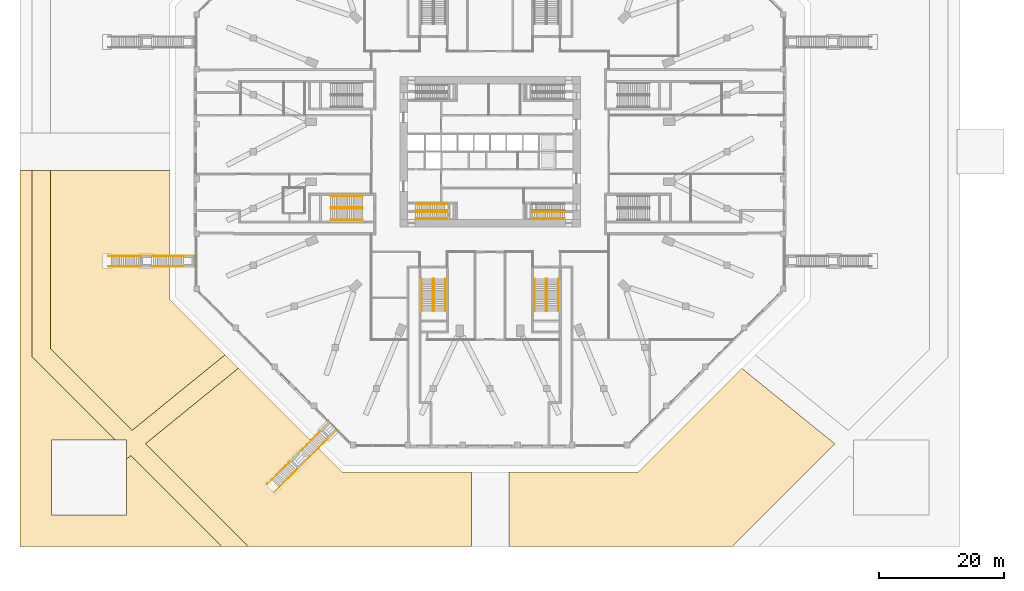
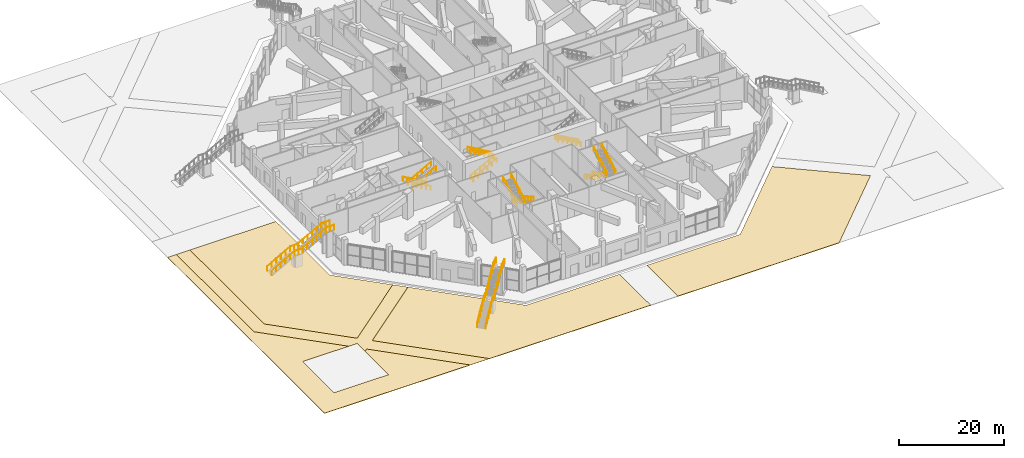
# One storey, part 32 of 36: 22 railings, 5 coverings.
"""IFC4 building model written with IfcOpenShell, lengths in metres."""

from ifc_helpers import new_model, si_unit, direction, frame, origin, origin_2d, place, context, subcontext, project, spatial, polyline, circle, outline, extrude, material, layer, layer_set, constituent, constituent_set, type_object, element, save


model = new_model("IFC4")

# Units and contexts
model_context = context("Model", 3, precision=1e-05, world=origin(), true_north=direction((0.0, 1.0)))
body_context = subcontext(model_context, "Body", "Model", "MODEL_VIEW")
ifc_project = project(units=[si_unit("LENGTHUNIT", "METRE"), si_unit("AREAUNIT", "SQUARE_METRE"), si_unit("VOLUMEUNIT", "CUBIC_METRE"), si_unit("PLANEANGLEUNIT", "RADIAN"), si_unit("MASSUNIT", "GRAM", prefix="KILO")], contexts=[model_context])

# Site, building, storey
site_placement = place(None, origin())
site = spatial("IfcSite", under=ifc_project, at=site_placement, CompositionType="ELEMENT")
building_placement = place(site_placement, origin())
building = spatial("IfcBuilding", under=site, at=building_placement, Name="Msitu Wima Residences", CompositionType="ELEMENT")
storey_placement = place(building_placement, origin())
storey = spatial("IfcBuildingStorey", under=building, at=storey_placement, Name="L00", CompositionType="ELEMENT", Elevation=0.0)

# Coverings
ifc_material_1 = material(Name="Lawn and planting")
ifc_layer_1 = layer(ifc_material_1, 0.10009765625)
ifc_layer_set_1 = layer_set([ifc_layer_1], Name="Lawn and planting")
covering_type_1 = type_object("IfcCoveringType", Name="Garden lawn LN100", PredefinedType="USERDEFINED", material=ifc_layer_set_1)
covering_1_placement = place(storey_placement, frame((0.0, 0.0, -0.10009765625)))
element("IfcCovering", 1, at=covering_1_placement, inside=storey, type_object=covering_type_1, Name="Public garden lawn and planting", ObjectType="LAWN", PredefinedType="USERDEFINED", context=body_context, shape_type="SweptSolid", body=[
    extrude(outline(polyline([(-75.0, -3.0), (-73.10009765625, -3.0), (-73.10009765625, -32.749755859375), (-59.849609375, -46.0), (-70.0, -46.0), (-70.0, -58.0), (-58.0, -58.0), (-58.0, -49.0576171875), (-57.33349609375, -48.51611328125), (-42.849609375, -63.0), (-75.0, -63.0), (-75.0, -3.0)])), origin(), (0.0, 0.0, 1.0), 0.10009765625),
])
covering_2_placement = place(storey_placement, frame((0.0, 0.0, -0.10009765625)))
element("IfcCovering", 2, at=covering_2_placement, inside=storey, type_object=covering_type_1, Name="Public garden lawn and planting", ObjectType="LAWN", PredefinedType="USERDEFINED", context=body_context, shape_type="SweptSolid", body=[
    extrude(outline(polyline([(-51.10009765625, -3.0), (-51.10009765625, -23.636962890625), (-42.300537109375, -32.4365234375), (-57.125244140625, -44.481689453125), (-70.10009765625, -31.507080078125), (-70.10009765625, -3.0), (-51.10009765625, -3.0)])), origin(), (0.0, 0.0, 1.0), 0.10009765625),
])
covering_3_placement = place(storey_placement, frame((0.0, 0.0, -0.10009765625)))
element("IfcCovering", 3, at=covering_3_placement, inside=storey, type_object=covering_type_1, Name="Public garden lawn and planting", ObjectType="LAWN", PredefinedType="USERDEFINED", context=body_context, shape_type="SweptSolid", body=[
    extrude(outline(polyline([(-23.636962890625, -51.10009765625), (-3.0, -51.10009765625), (-3.0, -63.0), (-38.60693359375, -63.0), (-54.99267578125, -46.6142578125), (-40.16796875, -34.569091796875), (-23.636962890625, -51.10009765625)])), origin(), (0.0, 0.0, 1.0), 0.10009765625),
])
covering_4_placement = place(storey_placement, frame((0.0, 0.0, -0.10009765625)))
element("IfcCovering", 4, at=covering_4_placement, inside=storey, type_object=covering_type_1, Name="Public garden lawn and planting", ObjectType="LAWN", PredefinedType="USERDEFINED", context=body_context, shape_type="SweptSolid", body=[
    extrude(outline(polyline([(3.0, -63.0), (3.0, -51.10009765625), (23.636962890625, -51.10009765625), (40.16796875, -34.569091796875), (54.99267578125, -46.6142578125), (38.60693359375, -63.0), (3.0, -63.0)])), origin(), (0.0, 0.0, 1.0), 0.10009765625),
])
ifc_material_2 = material(Name="Clay pavers")
ifc_layer_2 = layer(ifc_material_2, 0.050048828125, Name="Clay pavers")
ifc_material_3 = material(Name="Sand bedding")
ifc_layer_3 = layer(ifc_material_3, 0.010009765625, Name="Sand bedding")
ifc_layer_set_2 = layer_set([ifc_layer_2, ifc_layer_3], Name="Sand bedding")
covering_type_2 = type_object("IfcCoveringType", Name="Garden paving PV60", PredefinedType="USERDEFINED", material=ifc_layer_set_2)
covering_5_placement = place(storey_placement, frame((0.0, 0.0, -0.06005859375)))
element("IfcCovering", 5, at=covering_5_placement, inside=storey, type_object=covering_type_2, Name="Garden footpath paving", ObjectType="PAVING", PredefinedType="USERDEFINED", context=body_context, shape_type="SweptSolid", body=[
    extrude(outline(polyline([(-73.10009765625, -32.749755859375), (-73.10009765625, -3.0), (-70.10009765625, -3.0), (-70.10009765625, -31.507080078125), (-57.125244140625, -44.481689453125), (-42.300537109375, -32.4365234375), (-40.16796875, -34.569091796875), (-54.99267578125, -46.6142578125), (-38.60693359375, -63.0), (-42.849609375, -63.0), (-57.33349609375, -48.51611328125), (-58.0, -49.0576171875), (-58.0, -46.0), (-59.849609375, -46.0), (-73.10009765625, -32.749755859375)])), origin(), (0.0, 0.0, 1.0), 0.06005859375),
])

# Railings
ifc_material_4 = material(Name="Steel S355", Category="steel")
ifc_constituent_1 = constituent(ifc_material_4, Name="Steel S355")
ifc_material_5 = material(Name="Black powder coating")
ifc_constituent_2 = constituent(ifc_material_5, Name="Black powder coating")
ifc_constituent_set_1 = constituent_set(constituents=[ifc_constituent_1, ifc_constituent_2], Name="Steel S355")
railing_type_1 = type_object("IfcRailingType", Name="Stair handrail HR1", PredefinedType="HANDRAIL", material=ifc_constituent_set_1)
for number, where, name in (
    (6, (-11.875, -10.625, 0.166748046875), "Stair 2 handrail"),
    (7, (-11.875, -9.625, 0.166748046875), "Stair 2 handrail"),
):
    element("IfcRailing", number, at=place(storey_placement, frame(where)), inside=storey, type_object=railing_type_1, Name=name, PredefinedType="HANDRAIL", context=body_context, shape_type="SweptSolid", body=[
        extrude(circle(Radius=0.02392578125, at=origin_2d()), frame((0.0, 0.0, 0.8759765625), z_axis=(0.874167145328, 0.0, 0.485625166182), x_axis=(0.0, 1.0, 0.0)), (0.0, 0.0, 1.0), 5.834228515625),
        extrude(circle(Radius=0.02099609375, at=origin_2d()), origin(), (0.0, 0.0, 1.0), 0.851806640625),
        extrude(circle(Radius=0.02099609375, at=origin_2d()), frame((1.02001953125, 0.0, 0.566650390625)), (0.0, 0.0, 1.0), 0.851806640625),
        extrude(circle(Radius=0.02099609375, at=origin_2d()), frame((2.0400390625, 0.0, 1.13330078125)), (0.0, 0.0, 1.0), 0.851806640625),
        extrude(circle(Radius=0.02099609375, at=origin_2d()), frame((3.06005859375, 0.0, 1.699951171875)), (0.0, 0.0, 1.0), 0.851806640625),
        extrude(circle(Radius=0.02099609375, at=origin_2d()), frame((4.080078125, 0.0, 2.2666015625)), (0.0, 0.0, 1.0), 0.851806640625),
        extrude(circle(Radius=0.02099609375, at=origin_2d()), frame((5.10009765625, 0.0, 2.833251953125)), (0.0, 0.0, 1.0), 0.851806640625),
    ])
for number, where, name in (
    (8, (-6.77490234375, -9.375, 3.166748046875), "Stair 2 handrail"),
    (9, (-6.77490234375, -8.375, 3.166748046875), "Stair 2 handrail"),
    (10, (11.875, -10.625, 0.166748046875), "Stair 4 handrail"),
    (11, (11.875, -9.625, 0.166748046875), "Stair 4 handrail"),
    (12, (-20.324951171875, -7.10009765625, 0.166748046875), "Podium exit stair 5 handrail"),
    (13, (-20.324951171875, -8.89990234375, 0.166748046875), "Podium exit stair 5 handrail"),
):
    element("IfcRailing", number, at=place(storey_placement, frame(where)), inside=storey, type_object=railing_type_1, Name=name, PredefinedType="HANDRAIL", context=body_context, shape_type="SweptSolid", body=[
        extrude(circle(Radius=0.02392578125, at=origin_2d()), frame((0.0, 0.0, 0.8759765625), z_axis=(-0.874167145328, 0.0, 0.485625166182), x_axis=(0.0, -1.0, 0.0)), (0.0, 0.0, 1.0), 5.834228515625),
        extrude(circle(Radius=0.02099609375, at=origin_2d()), origin(), (0.0, 0.0, 1.0), 0.851806640625),
        extrude(circle(Radius=0.02099609375, at=origin_2d()), frame((-1.02001953125, 0.0, 0.566650390625)), (0.0, 0.0, 1.0), 0.851806640625),
        extrude(circle(Radius=0.02099609375, at=origin_2d()), frame((-2.0400390625, 0.0, 1.13330078125)), (0.0, 0.0, 1.0), 0.851806640625),
        extrude(circle(Radius=0.02099609375, at=origin_2d()), frame((-3.06005859375, 0.0, 1.699951171875)), (0.0, 0.0, 1.0), 0.851806640625),
        extrude(circle(Radius=0.02099609375, at=origin_2d()), frame((-4.080078125, 0.0, 2.2666015625)), (0.0, 0.0, 1.0), 0.851806640625),
        extrude(circle(Radius=0.02099609375, at=origin_2d()), frame((-5.10009765625, 0.0, 2.833251953125)), (0.0, 0.0, 1.0), 0.851806640625),
    ])
for number, where, name in (
    (14, (-25.425048828125, -9.10009765625, 3.166748046875), "Podium exit stair 5 handrail"),
    (15, (-25.425048828125, -10.89990234375, 3.166748046875), "Podium exit stair 5 handrail"),
):
    element("IfcRailing", number, at=place(storey_placement, frame(where)), inside=storey, type_object=railing_type_1, Name=name, PredefinedType="HANDRAIL", context=body_context, shape_type="SweptSolid", body=[
        extrude(circle(Radius=0.02392578125, at=origin_2d()), frame((0.0, 0.0, 0.8759765625), z_axis=(0.874167145328, 0.0, 0.485625166182), x_axis=(0.0, 1.0, 0.0)), (0.0, 0.0, 1.0), 5.834228515625),
        extrude(circle(Radius=0.02099609375, at=origin_2d()), origin(), (0.0, 0.0, 1.0), 0.851806640625),
        extrude(circle(Radius=0.02099609375, at=origin_2d()), frame((1.02001953125, 0.0, 0.566650390625)), (0.0, 0.0, 1.0), 0.851806640625),
        extrude(circle(Radius=0.02099609375, at=origin_2d()), frame((2.0400390625, 0.0, 1.13330078125)), (0.0, 0.0, 1.0), 0.851806640625),
        extrude(circle(Radius=0.02099609375, at=origin_2d()), frame((3.06005859375, 0.0, 1.699951171875)), (0.0, 0.0, 1.0), 0.851806640625),
        extrude(circle(Radius=0.02099609375, at=origin_2d()), frame((4.080078125, 0.0, 2.2666015625)), (0.0, 0.0, 1.0), 0.851806640625),
        extrude(circle(Radius=0.02099609375, at=origin_2d()), frame((5.10009765625, 0.0, 2.833251953125)), (0.0, 0.0, 1.0), 0.851806640625),
    ])
for number, where, name in (
    (16, (7.10009765625, -20.324951171875, 0.166748046875), "Podium exit stair 7 handrail"),
    (17, (8.89990234375, -20.324951171875, 0.166748046875), "Podium exit stair 7 handrail"),
):
    element("IfcRailing", number, at=place(storey_placement, frame(where)), inside=storey, type_object=railing_type_1, Name=name, PredefinedType="HANDRAIL", context=body_context, shape_type="SweptSolid", body=[
        extrude(circle(Radius=0.02392578125, at=origin_2d()), frame((0.0, 0.0, 0.8759765625), z_axis=(0.0, -0.874167145328, 0.485625166182), x_axis=(1.0, 0.0, 0.0)), (0.0, 0.0, 1.0), 5.834228515625),
        extrude(circle(Radius=0.02099609375, at=origin_2d()), origin(), (0.0, 0.0, 1.0), 0.851806640625),
        extrude(circle(Radius=0.02099609375, at=origin_2d()), frame((0.0, -1.02001953125, 0.566650390625)), (0.0, 0.0, 1.0), 0.851806640625),
        extrude(circle(Radius=0.02099609375, at=origin_2d()), frame((0.0, -2.0400390625, 1.13330078125)), (0.0, 0.0, 1.0), 0.851806640625),
        extrude(circle(Radius=0.02099609375, at=origin_2d()), frame((0.0, -3.06005859375, 1.699951171875)), (0.0, 0.0, 1.0), 0.851806640625),
        extrude(circle(Radius=0.02099609375, at=origin_2d()), frame((0.0, -4.080078125, 2.2666015625)), (0.0, 0.0, 1.0), 0.851806640625),
        extrude(circle(Radius=0.02099609375, at=origin_2d()), frame((0.0, -5.10009765625, 2.833251953125)), (0.0, 0.0, 1.0), 0.851806640625),
    ])
for number, where, name in (
    (18, (9.10009765625, -25.425048828125, 3.166748046875), "Podium exit stair 7 handrail"),
    (19, (10.89990234375, -25.425048828125, 3.166748046875), "Podium exit stair 7 handrail"),
):
    element("IfcRailing", number, at=place(storey_placement, frame(where)), inside=storey, type_object=railing_type_1, Name=name, PredefinedType="HANDRAIL", context=body_context, shape_type="SweptSolid", body=[
        extrude(circle(Radius=0.02392578125, at=origin_2d()), frame((0.0, 0.0, 0.8759765625), z_axis=(0.0, 0.874167145328, 0.485625166182), x_axis=(-1.0, 0.0, 0.0)), (0.0, 0.0, 1.0), 5.834228515625),
        extrude(circle(Radius=0.02099609375, at=origin_2d()), origin(), (0.0, 0.0, 1.0), 0.851806640625),
        extrude(circle(Radius=0.02099609375, at=origin_2d()), frame((0.0, 1.02001953125, 0.566650390625)), (0.0, 0.0, 1.0), 0.851806640625),
        extrude(circle(Radius=0.02099609375, at=origin_2d()), frame((0.0, 2.0400390625, 1.13330078125)), (0.0, 0.0, 1.0), 0.851806640625),
        extrude(circle(Radius=0.02099609375, at=origin_2d()), frame((0.0, 3.06005859375, 1.699951171875)), (0.0, 0.0, 1.0), 0.851806640625),
        extrude(circle(Radius=0.02099609375, at=origin_2d()), frame((0.0, 4.080078125, 2.2666015625)), (0.0, 0.0, 1.0), 0.851806640625),
        extrude(circle(Radius=0.02099609375, at=origin_2d()), frame((0.0, 5.10009765625, 2.833251953125)), (0.0, 0.0, 1.0), 0.851806640625),
    ])
for number, where, name in (
    (20, (-7.10009765625, -20.324951171875, 0.166748046875), "Podium exit stair 8 handrail"),
    (21, (-8.89990234375, -20.324951171875, 0.166748046875), "Podium exit stair 8 handrail"),
):
    element("IfcRailing", number, at=place(storey_placement, frame(where)), inside=storey, type_object=railing_type_1, Name=name, PredefinedType="HANDRAIL", context=body_context, shape_type="SweptSolid", body=[
        extrude(circle(Radius=0.02392578125, at=origin_2d()), frame((0.0, 0.0, 0.8759765625), z_axis=(0.0, -0.874167145328, 0.485625166182), x_axis=(1.0, 0.0, 0.0)), (0.0, 0.0, 1.0), 5.834228515625),
        extrude(circle(Radius=0.02099609375, at=origin_2d()), origin(), (0.0, 0.0, 1.0), 0.851806640625),
        extrude(circle(Radius=0.02099609375, at=origin_2d()), frame((0.0, -1.02001953125, 0.566650390625)), (0.0, 0.0, 1.0), 0.851806640625),
        extrude(circle(Radius=0.02099609375, at=origin_2d()), frame((0.0, -2.0400390625, 1.13330078125)), (0.0, 0.0, 1.0), 0.851806640625),
        extrude(circle(Radius=0.02099609375, at=origin_2d()), frame((0.0, -3.06005859375, 1.699951171875)), (0.0, 0.0, 1.0), 0.851806640625),
        extrude(circle(Radius=0.02099609375, at=origin_2d()), frame((0.0, -4.080078125, 2.2666015625)), (0.0, 0.0, 1.0), 0.851806640625),
        extrude(circle(Radius=0.02099609375, at=origin_2d()), frame((0.0, -5.10009765625, 2.833251953125)), (0.0, 0.0, 1.0), 0.851806640625),
    ])
for number, where, name in (
    (22, (-9.10009765625, -25.425048828125, 3.166748046875), "Podium exit stair 8 handrail"),
    (23, (-10.89990234375, -25.425048828125, 3.166748046875), "Podium exit stair 8 handrail"),
):
    element("IfcRailing", number, at=place(storey_placement, frame(where)), inside=storey, type_object=railing_type_1, Name=name, PredefinedType="HANDRAIL", context=body_context, shape_type="SweptSolid", body=[
        extrude(circle(Radius=0.02392578125, at=origin_2d()), frame((0.0, 0.0, 0.8759765625), z_axis=(0.0, 0.874167145328, 0.485625166182), x_axis=(-1.0, 0.0, 0.0)), (0.0, 0.0, 1.0), 5.834228515625),
        extrude(circle(Radius=0.02099609375, at=origin_2d()), origin(), (0.0, 0.0, 1.0), 0.851806640625),
        extrude(circle(Radius=0.02099609375, at=origin_2d()), frame((0.0, 1.02001953125, 0.566650390625)), (0.0, 0.0, 1.0), 0.851806640625),
        extrude(circle(Radius=0.02099609375, at=origin_2d()), frame((0.0, 2.0400390625, 1.13330078125)), (0.0, 0.0, 1.0), 0.851806640625),
        extrude(circle(Radius=0.02099609375, at=origin_2d()), frame((0.0, 3.06005859375, 1.699951171875)), (0.0, 0.0, 1.0), 0.851806640625),
        extrude(circle(Radius=0.02099609375, at=origin_2d()), frame((0.0, 4.080078125, 2.2666015625)), (0.0, 0.0, 1.0), 0.851806640625),
        extrude(circle(Radius=0.02099609375, at=origin_2d()), frame((0.0, 5.10009765625, 2.833251953125)), (0.0, 0.0, 1.0), 0.851806640625),
    ])
ifc_constituent_3 = constituent(ifc_material_4, Name="Steel S355")
ifc_material_6 = material(Name="Weathering patina")
ifc_constituent_4 = constituent(ifc_material_6, Name="Weathering patina")
ifc_constituent_set_2 = constituent_set(constituents=[ifc_constituent_3, ifc_constituent_4], Name="Steel S355")
railing_type_2 = type_object("IfcRailingType", Name="Terrace guard GR1100", PredefinedType="GUARDRAIL", material=ifc_constituent_set_2)
railing_1_placement = place(storey_placement, frame((-25.787109375, -43.29296875, 6.0)))
element("IfcRailing", 24, at=railing_1_placement, inside=storey, type_object=railing_type_2, Name="External stair guard SW4", PredefinedType="GUARDRAIL", context=body_context, shape_type="SweptSolid", body=[
    extrude(circle(Radius=0.02392578125, at=origin_2d()), frame((0.0, 0.0, 1.076171875), z_axis=(-0.707038962956, -0.707174592913, 0.0), x_axis=(0.707174592913, -0.707038962956, 0.0)), (0.0, 0.0, 1.0), 1.800048828125),
    extrude(circle(Radius=0.02392578125, at=origin_2d()), frame((-1.272705078125, -1.27294921875, 1.076171875), z_axis=(-0.6181249701, -0.6181249701, -0.485636739423), x_axis=(0.707106781187, -0.707106781187, 0.0)), (0.0, 0.0, 1.0), 5.833984375),
    extrude(circle(Radius=0.02392578125, at=origin_2d()), frame((-4.87890625, -4.879150390625, -1.75732421875), z_axis=(0.0, 0.0, -1.0), x_axis=(1.0, 0.0, 0.0)), (0.0, 0.0, 1.0), 0.166748046875),
    extrude(circle(Radius=0.02392578125, at=origin_2d()), frame((-4.87890625, -4.879150390625, -1.923828125), z_axis=(-0.707174592913, -0.707038962956, 0.0), x_axis=(0.707038962956, -0.707174592913, 0.0)), (0.0, 0.0, 1.0), 1.800048828125),
    extrude(circle(Radius=0.02392578125, at=origin_2d()), frame((-6.15185546875, -6.15185546875, -1.923828125), z_axis=(-0.618108981265, -0.618150827382, -0.485624177617), x_axis=(0.707130715615, -0.707082845948, 0.0)), (0.0, 0.0, 1.0), 5.834228515625),
    extrude(circle(Radius=0.02392578125, at=origin_2d()), frame((-9.758056640625, -9.75830078125, -4.75732421875), z_axis=(0.0, 0.0, -1.0), x_axis=(1.0, 0.0, 0.0)), (0.0, 0.0, 1.0), 0.166748046875),
    extrude(circle(Radius=0.02099609375, at=origin_2d()), origin(), (0.0, 0.0, 1.0), 1.052001953125),
    extrude(circle(Radius=0.02099609375, at=origin_2d()), frame((-0.63623046875, -0.636474609375, 0.0)), (0.0, 0.0, 1.0), 1.052001953125),
    extrude(circle(Radius=0.02099609375, at=origin_2d()), frame((-1.272705078125, -1.27294921875, 0.0)), (0.0, 0.0, 1.0), 1.052001953125),
    extrude(circle(Radius=0.02099609375, at=origin_2d()), frame((-1.993896484375, -1.994140625, -0.566650390625)), (0.0, 0.0, 1.0), 1.052001953125),
    extrude(circle(Radius=0.02099609375, at=origin_2d()), frame((-2.715087890625, -2.71533203125, -1.13330078125)), (0.0, 0.0, 1.0), 1.052001953125),
    extrude(circle(Radius=0.02099609375, at=origin_2d()), frame((-3.4365234375, -3.436767578125, -1.699951171875)), (0.0, 0.0, 1.0), 1.052001953125),
    extrude(circle(Radius=0.02099609375, at=origin_2d()), frame((-4.15771484375, -4.157958984375, -2.2666015625)), (0.0, 0.0, 1.0), 1.052001953125),
    extrude(circle(Radius=0.02099609375, at=origin_2d()), frame((-4.87890625, -4.879150390625, -2.833251953125)), (0.0, 0.0, 1.0), 1.052001953125),
    extrude(circle(Radius=0.02099609375, at=origin_2d()), frame((-4.87890625, -4.879150390625, -3.0)), (0.0, 0.0, 1.0), 1.052001953125),
    extrude(circle(Radius=0.02099609375, at=origin_2d()), frame((-5.515380859375, -5.515625, -3.0)), (0.0, 0.0, 1.0), 1.052001953125),
    extrude(circle(Radius=0.02099609375, at=origin_2d()), frame((-6.15185546875, -6.15185546875, -3.0)), (0.0, 0.0, 1.0), 1.052001953125),
    extrude(circle(Radius=0.02099609375, at=origin_2d()), frame((-6.873046875, -6.873046875, -3.566650390625)), (0.0, 0.0, 1.0), 1.052001953125),
    extrude(circle(Radius=0.02099609375, at=origin_2d()), frame((-7.59423828125, -7.594482421875, -4.13330078125)), (0.0, 0.0, 1.0), 1.052001953125),
    extrude(circle(Radius=0.02099609375, at=origin_2d()), frame((-8.315673828125, -8.315673828125, -4.699951171875)), (0.0, 0.0, 1.0), 1.052001953125),
    extrude(circle(Radius=0.02099609375, at=origin_2d()), frame((-9.036865234375, -9.037109375, -5.2666015625)), (0.0, 0.0, 1.0), 1.052001953125),
    extrude(circle(Radius=0.02099609375, at=origin_2d()), frame((-9.758056640625, -9.75830078125, -5.833251953125)), (0.0, 0.0, 1.0), 1.052001953125),
    extrude(circle(Radius=0.02099609375, at=origin_2d()), frame((-9.758056640625, -9.75830078125, -6.0)), (0.0, 0.0, 1.0), 1.052001953125),
])
railing_2_placement = place(storey_placement, frame((-24.5849609375, -44.4951171875, 6.0)))
element("IfcRailing", 25, at=railing_2_placement, inside=storey, type_object=railing_type_2, Name="External stair guard SW4", PredefinedType="GUARDRAIL", context=body_context, shape_type="SweptSolid", body=[
    extrude(circle(Radius=0.02392578125, at=origin_2d()), frame((0.0, 0.0, 1.076171875), z_axis=(-0.707038962956, -0.707174592913, 0.0), x_axis=(0.707174592913, -0.707038962956, 0.0)), (0.0, 0.0, 1.0), 1.800048828125),
    extrude(circle(Radius=0.02392578125, at=origin_2d()), frame((-1.272705078125, -1.27294921875, 1.076171875), z_axis=(-0.618150827382, -0.618108981265, -0.485624177617), x_axis=(0.707082845948, -0.707130715615, 0.0)), (0.0, 0.0, 1.0), 5.834228515625),
    extrude(circle(Radius=0.02392578125, at=origin_2d()), frame((-4.879150390625, -4.879150390625, -1.75732421875), z_axis=(0.0, 0.0, -1.0), x_axis=(1.0, 0.0, 0.0)), (0.0, 0.0, 1.0), 0.166748046875),
    extrude(circle(Radius=0.02392578125, at=origin_2d()), frame((-4.879150390625, -4.879150390625, -1.923828125), z_axis=(-0.707106781187, -0.707106781187, 0.0), x_axis=(0.707106781187, -0.707106781187, 0.0)), (0.0, 0.0, 1.0), 1.7998046875),
    extrude(circle(Radius=0.02392578125, at=origin_2d()), frame((-6.15185546875, -6.15185546875, -1.923828125), z_axis=(-0.6181249701, -0.6181249701, -0.485636739423), x_axis=(0.707106781187, -0.707106781187, 0.0)), (0.0, 0.0, 1.0), 5.833984375),
    extrude(circle(Radius=0.02392578125, at=origin_2d()), frame((-9.758056640625, -9.758056640625, -4.75732421875), z_axis=(0.0, 0.0, -1.0), x_axis=(1.0, 0.0, 0.0)), (0.0, 0.0, 1.0), 0.166748046875),
    extrude(circle(Radius=0.02099609375, at=origin_2d()), origin(), (0.0, 0.0, 1.0), 1.052001953125),
    extrude(circle(Radius=0.02099609375, at=origin_2d()), frame((-0.63623046875, -0.636474609375, 0.0)), (0.0, 0.0, 1.0), 1.052001953125),
    extrude(circle(Radius=0.02099609375, at=origin_2d()), frame((-1.272705078125, -1.27294921875, 0.0)), (0.0, 0.0, 1.0), 1.052001953125),
    extrude(circle(Radius=0.02099609375, at=origin_2d()), frame((-1.993896484375, -1.994140625, -0.566650390625)), (0.0, 0.0, 1.0), 1.052001953125),
    extrude(circle(Radius=0.02099609375, at=origin_2d()), frame((-2.71533203125, -2.71533203125, -1.13330078125)), (0.0, 0.0, 1.0), 1.052001953125),
    extrude(circle(Radius=0.02099609375, at=origin_2d()), frame((-3.4365234375, -3.436767578125, -1.699951171875)), (0.0, 0.0, 1.0), 1.052001953125),
    extrude(circle(Radius=0.02099609375, at=origin_2d()), frame((-4.157958984375, -4.157958984375, -2.2666015625)), (0.0, 0.0, 1.0), 1.052001953125),
    extrude(circle(Radius=0.02099609375, at=origin_2d()), frame((-4.879150390625, -4.879150390625, -2.833251953125)), (0.0, 0.0, 1.0), 1.052001953125),
    extrude(circle(Radius=0.02099609375, at=origin_2d()), frame((-4.879150390625, -4.879150390625, -3.0)), (0.0, 0.0, 1.0), 1.052001953125),
    extrude(circle(Radius=0.02099609375, at=origin_2d()), frame((-5.515625, -5.515625, -3.0)), (0.0, 0.0, 1.0), 1.052001953125),
    extrude(circle(Radius=0.02099609375, at=origin_2d()), frame((-6.15185546875, -6.15185546875, -3.0)), (0.0, 0.0, 1.0), 1.052001953125),
    extrude(circle(Radius=0.02099609375, at=origin_2d()), frame((-6.873046875, -6.873046875, -3.566650390625)), (0.0, 0.0, 1.0), 1.052001953125),
    extrude(circle(Radius=0.02099609375, at=origin_2d()), frame((-7.59423828125, -7.59423828125, -4.13330078125)), (0.0, 0.0, 1.0), 1.052001953125),
    extrude(circle(Radius=0.02099609375, at=origin_2d()), frame((-8.315673828125, -8.315673828125, -4.699951171875)), (0.0, 0.0, 1.0), 1.052001953125),
    extrude(circle(Radius=0.02099609375, at=origin_2d()), frame((-9.036865234375, -9.036865234375, -5.2666015625)), (0.0, 0.0, 1.0), 1.052001953125),
    extrude(circle(Radius=0.02099609375, at=origin_2d()), frame((-9.758056640625, -9.758056640625, -5.833251953125)), (0.0, 0.0, 1.0), 1.052001953125),
    extrude(circle(Radius=0.02099609375, at=origin_2d()), frame((-9.758056640625, -9.758056640625, -6.0)), (0.0, 0.0, 1.0), 1.052001953125),
])
railing_3_placement = place(storey_placement, frame((-47.10009765625, -16.634765625, 6.0)))
element("IfcRailing", 26, at=railing_3_placement, inside=storey, type_object=railing_type_2, Name="Garden stair 3 guard", PredefinedType="GUARDRAIL", context=body_context, shape_type="SweptSolid", body=[
    extrude(circle(Radius=0.02392578125, at=origin_2d()), frame((0.0, 0.0, 1.076171875), z_axis=(-1.0, 0.0, 0.0), x_axis=(0.0, -1.0, 0.0)), (0.0, 0.0, 1.0), 1.7998046875),
    extrude(circle(Radius=0.02392578125, at=origin_2d()), frame((-1.7998046875, 0.0, 1.076171875), z_axis=(-0.874167145328, 0.0, -0.485625166182), x_axis=(0.0, -1.0, 0.0)), (0.0, 0.0, 1.0), 5.834228515625),
    extrude(circle(Radius=0.02392578125, at=origin_2d()), frame((-6.89990234375, 0.0, -1.75732421875), z_axis=(0.0, 0.0, -1.0), x_axis=(1.0, 0.0, 0.0)), (0.0, 0.0, 1.0), 0.166748046875),
    extrude(circle(Radius=0.02392578125, at=origin_2d()), frame((-6.89990234375, 0.0, -1.923828125), z_axis=(-1.0, 0.0, 0.0), x_axis=(0.0, -1.0, 0.0)), (0.0, 0.0, 1.0), 1.800048828125),
    extrude(circle(Radius=0.02392578125, at=origin_2d()), frame((-8.699951171875, 0.0, -1.923828125), z_axis=(-0.874157276122, 0.0, -0.485642931179), x_axis=(0.0, -1.0, 0.0)), (0.0, 0.0, 1.0), 5.833984375),
    extrude(circle(Radius=0.02392578125, at=origin_2d()), frame((-13.7998046875, 0.0, -4.75732421875), z_axis=(0.0, 0.0, -1.0), x_axis=(1.0, 0.0, 0.0)), (0.0, 0.0, 1.0), 0.166748046875),
    extrude(circle(Radius=0.02099609375, at=origin_2d()), origin(), (0.0, 0.0, 1.0), 1.052001953125),
    extrude(circle(Radius=0.02099609375, at=origin_2d()), frame((-0.89990234375, 0.0, 0.0)), (0.0, 0.0, 1.0), 1.052001953125),
    extrude(circle(Radius=0.02099609375, at=origin_2d()), frame((-1.7998046875, 0.0, 0.0)), (0.0, 0.0, 1.0), 1.052001953125),
    extrude(circle(Radius=0.02099609375, at=origin_2d()), frame((-2.81982421875, 0.0, -0.566650390625)), (0.0, 0.0, 1.0), 1.052001953125),
    extrude(circle(Radius=0.02099609375, at=origin_2d()), frame((-3.83984375, 0.0, -1.13330078125)), (0.0, 0.0, 1.0), 1.052001953125),
    extrude(circle(Radius=0.02099609375, at=origin_2d()), frame((-4.85986328125, 0.0, -1.699951171875)), (0.0, 0.0, 1.0), 1.052001953125),
    extrude(circle(Radius=0.02099609375, at=origin_2d()), frame((-5.8798828125, 0.0, -2.2666015625)), (0.0, 0.0, 1.0), 1.052001953125),
    extrude(circle(Radius=0.02099609375, at=origin_2d()), frame((-6.89990234375, 0.0, -2.833251953125)), (0.0, 0.0, 1.0), 1.052001953125),
    extrude(circle(Radius=0.02099609375, at=origin_2d()), frame((-6.89990234375, 0.0, -3.0)), (0.0, 0.0, 1.0), 1.052001953125),
    extrude(circle(Radius=0.02099609375, at=origin_2d()), frame((-7.7998046875, 0.0, -3.0)), (0.0, 0.0, 1.0), 1.052001953125),
    extrude(circle(Radius=0.02099609375, at=origin_2d()), frame((-8.699951171875, 0.0, -3.0)), (0.0, 0.0, 1.0), 1.052001953125),
    extrude(circle(Radius=0.02099609375, at=origin_2d()), frame((-9.719970703125, 0.0, -3.566650390625)), (0.0, 0.0, 1.0), 1.052001953125),
    extrude(circle(Radius=0.02099609375, at=origin_2d()), frame((-10.739990234375, 0.0, -4.13330078125)), (0.0, 0.0, 1.0), 1.052001953125),
    extrude(circle(Radius=0.02099609375, at=origin_2d()), frame((-11.759765625, 0.0, -4.699951171875)), (0.0, 0.0, 1.0), 1.052001953125),
    extrude(circle(Radius=0.02099609375, at=origin_2d()), frame((-12.77978515625, 0.0, -5.2666015625)), (0.0, 0.0, 1.0), 1.052001953125),
    extrude(circle(Radius=0.02099609375, at=origin_2d()), frame((-13.7998046875, 0.0, -5.833251953125)), (0.0, 0.0, 1.0), 1.052001953125),
    extrude(circle(Radius=0.02099609375, at=origin_2d()), frame((-13.7998046875, 0.0, -6.0)), (0.0, 0.0, 1.0), 1.052001953125),
])
railing_4_placement = place(storey_placement, frame((-47.10009765625, -18.334716796875, 6.0)))
element("IfcRailing", 27, at=railing_4_placement, inside=storey, type_object=railing_type_2, Name="Garden stair 3 guard", PredefinedType="GUARDRAIL", context=body_context, shape_type="SweptSolid", body=[
    extrude(circle(Radius=0.02392578125, at=origin_2d()), frame((0.0, 0.0, 1.076171875), z_axis=(-1.0, 0.0, 0.0), x_axis=(0.0, -1.0, 0.0)), (0.0, 0.0, 1.0), 1.7998046875),
    extrude(circle(Radius=0.02392578125, at=origin_2d()), frame((-1.7998046875, 0.0, 1.076171875), z_axis=(-0.874167145328, 0.0, -0.485625166182), x_axis=(0.0, -1.0, 0.0)), (0.0, 0.0, 1.0), 5.834228515625),
    extrude(circle(Radius=0.02392578125, at=origin_2d()), frame((-6.89990234375, 0.0, -1.75732421875), z_axis=(0.0, 0.0, -1.0), x_axis=(1.0, 0.0, 0.0)), (0.0, 0.0, 1.0), 0.166748046875),
    extrude(circle(Radius=0.02392578125, at=origin_2d()), frame((-6.89990234375, 0.0, -1.923828125), z_axis=(-1.0, 0.0, 0.0), x_axis=(0.0, -1.0, 0.0)), (0.0, 0.0, 1.0), 1.800048828125),
    extrude(circle(Radius=0.02392578125, at=origin_2d()), frame((-8.699951171875, 0.0, -1.923828125), z_axis=(-0.874157276122, 0.0, -0.485642931179), x_axis=(0.0, -1.0, 0.0)), (0.0, 0.0, 1.0), 5.833984375),
    extrude(circle(Radius=0.02392578125, at=origin_2d()), frame((-13.7998046875, 0.0, -4.75732421875), z_axis=(0.0, 0.0, -1.0), x_axis=(1.0, 0.0, 0.0)), (0.0, 0.0, 1.0), 0.166748046875),
    extrude(circle(Radius=0.02099609375, at=origin_2d()), origin(), (0.0, 0.0, 1.0), 1.052001953125),
    extrude(circle(Radius=0.02099609375, at=origin_2d()), frame((-0.89990234375, 0.0, 0.0)), (0.0, 0.0, 1.0), 1.052001953125),
    extrude(circle(Radius=0.02099609375, at=origin_2d()), frame((-1.7998046875, 0.0, 0.0)), (0.0, 0.0, 1.0), 1.052001953125),
    extrude(circle(Radius=0.02099609375, at=origin_2d()), frame((-2.81982421875, 0.0, -0.566650390625)), (0.0, 0.0, 1.0), 1.052001953125),
    extrude(circle(Radius=0.02099609375, at=origin_2d()), frame((-3.83984375, 0.0, -1.13330078125)), (0.0, 0.0, 1.0), 1.052001953125),
    extrude(circle(Radius=0.02099609375, at=origin_2d()), frame((-4.85986328125, 0.0, -1.699951171875)), (0.0, 0.0, 1.0), 1.052001953125),
    extrude(circle(Radius=0.02099609375, at=origin_2d()), frame((-5.8798828125, 0.0, -2.2666015625)), (0.0, 0.0, 1.0), 1.052001953125),
    extrude(circle(Radius=0.02099609375, at=origin_2d()), frame((-6.89990234375, 0.0, -2.833251953125)), (0.0, 0.0, 1.0), 1.052001953125),
    extrude(circle(Radius=0.02099609375, at=origin_2d()), frame((-6.89990234375, 0.0, -3.0)), (0.0, 0.0, 1.0), 1.052001953125),
    extrude(circle(Radius=0.02099609375, at=origin_2d()), frame((-7.7998046875, 0.0, -3.0)), (0.0, 0.0, 1.0), 1.052001953125),
    extrude(circle(Radius=0.02099609375, at=origin_2d()), frame((-8.699951171875, 0.0, -3.0)), (0.0, 0.0, 1.0), 1.052001953125),
    extrude(circle(Radius=0.02099609375, at=origin_2d()), frame((-9.719970703125, 0.0, -3.566650390625)), (0.0, 0.0, 1.0), 1.052001953125),
    extrude(circle(Radius=0.02099609375, at=origin_2d()), frame((-10.739990234375, 0.0, -4.13330078125)), (0.0, 0.0, 1.0), 1.052001953125),
    extrude(circle(Radius=0.02099609375, at=origin_2d()), frame((-11.759765625, 0.0, -4.699951171875)), (0.0, 0.0, 1.0), 1.052001953125),
    extrude(circle(Radius=0.02099609375, at=origin_2d()), frame((-12.77978515625, 0.0, -5.2666015625)), (0.0, 0.0, 1.0), 1.052001953125),
    extrude(circle(Radius=0.02099609375, at=origin_2d()), frame((-13.7998046875, 0.0, -5.833251953125)), (0.0, 0.0, 1.0), 1.052001953125),
    extrude(circle(Radius=0.02099609375, at=origin_2d()), frame((-13.7998046875, 0.0, -6.0)), (0.0, 0.0, 1.0), 1.052001953125),
])

save(model, "model.ifc")
